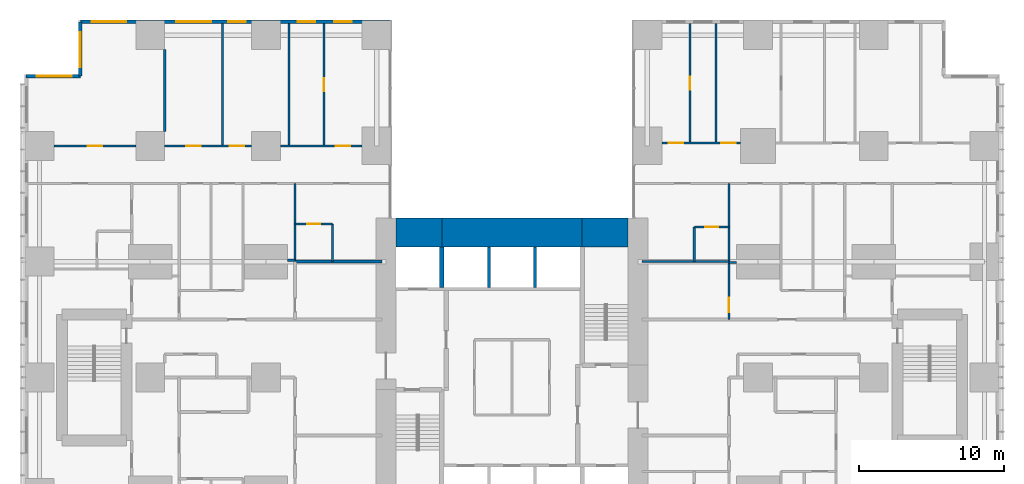
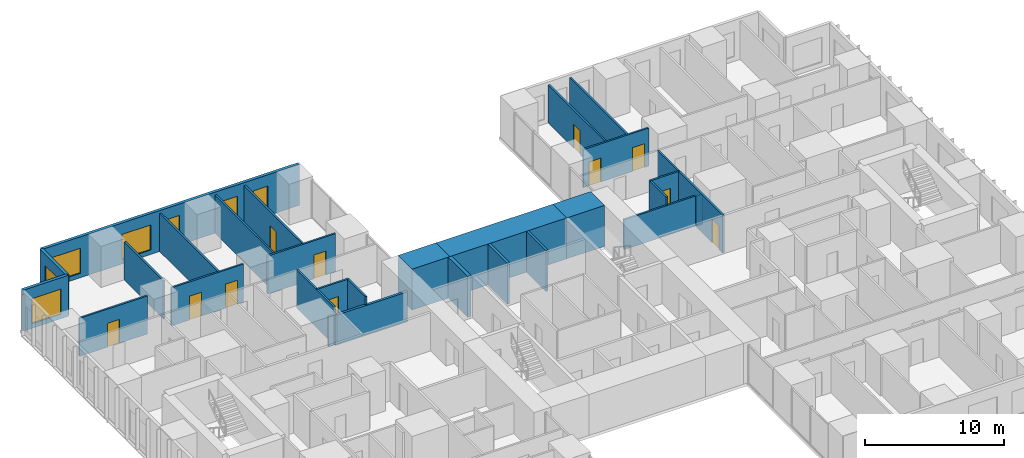
# One storey, part 17 of 20: 29 walls, 11 doors, 7 windows, 18 openings.
"""IFC4 building model written with IfcOpenShell, lengths in metres."""

from ifc_helpers import new_model, si_unit, direction, frame, frame_2d, origin, place, context, subcontext, project, spatial, rectangle, extrude, material, layer, layer_set, type_object, element, fill, save


model = new_model("IFC4")

# Units and contexts
model_context = context("Model", 3, precision=1e-05, world=origin(), true_north=direction((0.0, 1.0)))
body_context = subcontext(model_context, "Body", "Model", "MODEL_VIEW")
ifc_project = project(units=[si_unit("LENGTHUNIT", "METRE"), si_unit("AREAUNIT", "SQUARE_METRE"), si_unit("VOLUMEUNIT", "CUBIC_METRE"), si_unit("PLANEANGLEUNIT", "RADIAN"), si_unit("MASSUNIT", "GRAM", prefix="KILO")], contexts=[model_context])

# Site, building, storey
site_placement = place(None, origin())
site = spatial("IfcSite", under=ifc_project, at=site_placement, CompositionType="ELEMENT")
building_placement = place(site_placement, origin())
building = spatial("IfcBuilding", under=site, at=building_placement, Name="Cleftline Residences", CompositionType="ELEMENT")
storey_placement = place(building_placement, frame((0.0, 0.0, 153.800048828125)))
storey = spatial("IfcBuildingStorey", under=building, at=storey_placement, Name="L40", CompositionType="ELEMENT", Elevation=153.800048828125)

# Walls
ifc_material_1 = material(Name="Concrete B70", Category="concrete")
ifc_layer_1 = layer(ifc_material_1, 2.0)
ifc_layer_set_1 = layer_set([ifc_layer_1], Name="CORE WALL 2000")
wall_type_1 = type_object("IfcWallType", Name="CORE WALL 2000", PredefinedType="SHEAR", material=ifc_layer_set_1)
wall_1_placement = place(storey_placement, frame((25.0, 34.0, 0.0), z_axis=(0.0, 0.0, 1.0), x_axis=(1.0, 0.0, 0.0)))
element("IfcWall", 1, at=wall_1_placement, inside=storey, type_object=wall_type_1, Name="Core wall N1", PredefinedType="SHEAR", context=body_context, shape_type="SweptSolid", body=[
    extrude(rectangle(XDim=3.14990234375, YDim=2.0, at=frame_2d((1.574951171875, 0.0))), origin(), (0.0, 0.0, 1.0), 3.599853515625),
])
wall_2_placement = place(storey_placement, frame((28.14990234375, 34.0, 0.0), z_axis=(0.0, 0.0, 1.0), x_axis=(1.0, 0.0, 0.0)))
element("IfcWall", 2, at=wall_2_placement, inside=storey, type_object=wall_type_1, Name="Core wall N2", PredefinedType="SHEAR", context=body_context, shape_type="SweptSolid", body=[
    extrude(rectangle(XDim=9.7001953125, YDim=2.0, at=frame_2d((4.85009765625, 0.0))), origin(), (0.0, 0.0, 1.0), 3.599853515625),
])
wall_3_placement = place(storey_placement, frame((37.85009765625, 34.0, 0.0), z_axis=(0.0, 0.0, 1.0), x_axis=(1.0, 0.0, 0.0)))
element("IfcWall", 3, at=wall_3_placement, inside=storey, type_object=wall_type_1, Name="Core wall N3", PredefinedType="SHEAR", context=body_context, shape_type="SweptSolid", body=[
    extrude(rectangle(XDim=3.14990234375, YDim=2.0, at=frame_2d((1.574951171875, 0.0))), origin(), (0.0, 0.0, 1.0), 3.599853515625),
])
ifc_material_2 = material(Name="Concrete B70", Category="concrete")
ifc_layer_2 = layer(ifc_material_2, 0.300048828125)
ifc_layer_set_2 = layer_set([ifc_layer_2], Name="CORE WALL 300")
wall_type_2 = type_object("IfcWallType", Name="CORE WALL 300", PredefinedType="SHEAR", material=ifc_layer_set_2)
wall_4_placement = place(storey_placement, frame((28.14990234375, 30.199951171875, 0.0), z_axis=(0.0, 0.0, 1.0), x_axis=(0.0, 1.0, 0.0)))
element("IfcWall", 4, at=wall_4_placement, inside=storey, type_object=wall_type_2, Name="Lift shaft wall", PredefinedType="SHEAR", context=body_context, shape_type="SweptSolid", body=[
    extrude(rectangle(XDim=2.800048828125, YDim=0.300048828125, at=frame_2d((1.39990234375, 0.0))), origin(), (0.0, 0.0, 1.0), 3.599853515625),
])

# Wall, openings, windows
ifc_material_3 = material(Name="Rendered reinforced concrete blockwork", Category="masonry")
ifc_layer_3 = layer(ifc_material_3, 0.25)
ifc_layer_set_3 = layer_set([ifc_layer_3], Name="EXTERNAL WALL 250")
wall_type_3 = type_object("IfcWallType", Name="EXTERNAL WALL 250", PredefinedType="SOLIDWALL", material=ifc_layer_set_3)
wall_5_placement = place(storey_placement, frame((24.574951171875, 48.574951171875, 0.0), z_axis=(0.0, 0.0, 1.0), x_axis=(-1.0, 0.0, 0.0)))
wall_5 = element("IfcWall", 5, at=wall_5_placement, inside=storey, type_object=wall_type_3, Name="External wall", PredefinedType="SOLIDWALL", context=body_context, shape_type="SweptSolid", body=[
    extrude(rectangle(XDim=21.39990234375, YDim=0.25, at=frame_2d((10.699951171875, 0.0))), origin(), (0.0, 0.0, 1.0), 3.599853515625),
])
opening_1_placement = place(wall_5_placement, frame((2.64990234375, 0.0, 0.39990234375)))
opening_1 = element("IfcOpeningElement", 6, at=opening_1_placement, cuts=wall_5, Name="Opening W11", PredefinedType="OPENING", context=body_context, shape_type="SweptSolid", body=[
    extrude(rectangle(XDim=1.199951171875, YDim=2.199951171875, at=frame_2d((0.60009765625, 1.10009765625))), frame((0.0, 0.135009765625, 0.0), z_axis=(0.0, -1.0, 0.0), x_axis=(1.0, 0.0, 0.0)), (0.0, 0.0, 1.0), 0.27001953125),
])
opening_2_placement = place(wall_5_placement, frame((5.175048828125, 0.0, 0.39990234375)))
opening_2 = element("IfcOpeningElement", 7, at=opening_2_placement, cuts=wall_5, Name="Opening W11", PredefinedType="OPENING", context=body_context, shape_type="SweptSolid", body=[
    extrude(rectangle(XDim=1.199951171875, YDim=2.199951171875, at=frame_2d((0.60009765625, 1.10009765625))), frame((0.0, 0.135009765625, 0.0), z_axis=(0.0, -1.0, 0.0), x_axis=(1.0, 0.0, 0.0)), (0.0, 0.0, 1.0), 0.27001953125),
])
opening_3_placement = place(wall_5_placement, frame((9.97509765625, 0.0, 0.39990234375)))
opening_3 = element("IfcOpeningElement", 8, at=opening_3_placement, cuts=wall_5, Name="Opening W11", PredefinedType="OPENING", context=body_context, shape_type="SweptSolid", body=[
    extrude(rectangle(XDim=1.199951171875, YDim=2.199951171875, at=frame_2d((0.60009765625, 1.10009765625))), frame((0.0, 0.135009765625, 0.0), z_axis=(0.0, -1.0, 0.0), x_axis=(1.0, 0.0, 0.0)), (0.0, 0.0, 1.0), 0.27001953125),
])
opening_4_placement = place(wall_5_placement, frame((12.375, 0.0, 0.39990234375)))
opening_4 = element("IfcOpeningElement", 9, at=opening_4_placement, cuts=wall_5, Name="Opening W12", PredefinedType="OPENING", context=body_context, shape_type="SweptSolid", body=[
    extrude(rectangle(XDim=2.39990234375, YDim=2.199951171875, at=frame_2d((1.199951171875, 1.10009765625))), frame((0.0, 0.135009765625, 0.0), z_axis=(0.0, -1.0, 0.0), x_axis=(1.0, 0.0, 0.0)), (0.0, 0.0, 1.0), 0.27001953125),
])
opening_5_placement = place(wall_5_placement, frame((18.22509765625, 0.0, 0.39990234375)))
opening_5 = element("IfcOpeningElement", 10, at=opening_5_placement, cuts=wall_5, Name="Opening W12", PredefinedType="OPENING", context=body_context, shape_type="SweptSolid", body=[
    extrude(rectangle(XDim=2.39990234375, YDim=2.199951171875, at=frame_2d((1.199951171875, 1.10009765625))), frame((0.0, 0.135009765625, 0.0), z_axis=(0.0, -1.0, 0.0), x_axis=(1.0, 0.0, 0.0)), (0.0, 0.0, 1.0), 0.27001953125),
])
ifc_material_4 = material(Name="Aluminium frame, clear double glazing", Category="aluminium")
window_type_1 = type_object("IfcWindowType", Name="WINDOW 1200X2200", PartitioningType="DOUBLE_PANEL_VERTICAL", PredefinedType="WINDOW", material=ifc_material_4)
window_1_placement = place(opening_1_placement, origin())
window_1 = element("IfcWindow", 11, at=window_1_placement, inside=storey, type_object=window_type_1, Name="Window", OverallHeight=2.199951171875, OverallWidth=1.199951171875, PartitioningType="SINGLE_PANEL", PredefinedType="WINDOW", context=body_context, shape_type="SweptSolid", body=[
    extrude(rectangle(XDim=1.199951171875, YDim=2.199951171875, at=frame_2d((0.60009765625, 1.10009765625))), frame((0.0, 0.030029296875, 0.0), z_axis=(0.0, -1.0, 0.0), x_axis=(1.0, 0.0, 0.0)), (0.0, 0.0, 1.0), 0.06005859375),
])
fill(opening_1, window_1)
window_2_placement = place(opening_2_placement, origin())
window_2 = element("IfcWindow", 12, at=window_2_placement, inside=storey, type_object=window_type_1, Name="Window", OverallHeight=2.199951171875, OverallWidth=1.199951171875, PartitioningType="SINGLE_PANEL", PredefinedType="WINDOW", context=body_context, shape_type="SweptSolid", body=[
    extrude(rectangle(XDim=1.199951171875, YDim=2.199951171875, at=frame_2d((0.60009765625, 1.10009765625))), frame((0.0, 0.030029296875, 0.0), z_axis=(0.0, -1.0, 0.0), x_axis=(1.0, 0.0, 0.0)), (0.0, 0.0, 1.0), 0.06005859375),
])
fill(opening_2, window_2)
window_3_placement = place(opening_3_placement, origin())
window_3 = element("IfcWindow", 13, at=window_3_placement, inside=storey, type_object=window_type_1, Name="Window", OverallHeight=2.199951171875, OverallWidth=1.199951171875, PartitioningType="SINGLE_PANEL", PredefinedType="WINDOW", context=body_context, shape_type="SweptSolid", body=[
    extrude(rectangle(XDim=1.199951171875, YDim=2.199951171875, at=frame_2d((0.60009765625, 1.10009765625))), frame((0.0, 0.030029296875, 0.0), z_axis=(0.0, -1.0, 0.0), x_axis=(1.0, 0.0, 0.0)), (0.0, 0.0, 1.0), 0.06005859375),
])
fill(opening_3, window_3)
ifc_material_5 = material(Name="Aluminium frame, clear double glazing", Category="aluminium")
window_type_2 = type_object("IfcWindowType", Name="WINDOW 2400X2200", PartitioningType="DOUBLE_PANEL_VERTICAL", PredefinedType="WINDOW", material=ifc_material_5)
window_4_placement = place(opening_4_placement, origin())
window_4 = element("IfcWindow", 14, at=window_4_placement, inside=storey, type_object=window_type_2, Name="Window", OverallHeight=2.199951171875, OverallWidth=2.39990234375, PartitioningType="SINGLE_PANEL", PredefinedType="WINDOW", context=body_context, shape_type="SweptSolid", body=[
    extrude(rectangle(XDim=2.39990234375, YDim=2.199951171875, at=frame_2d((1.199951171875, 1.10009765625))), frame((0.0, 0.030029296875, 0.0), z_axis=(0.0, -1.0, 0.0), x_axis=(1.0, 0.0, 0.0)), (0.0, 0.0, 1.0), 0.06005859375),
])
fill(opening_4, window_4)
window_5_placement = place(opening_5_placement, origin())
window_5 = element("IfcWindow", 15, at=window_5_placement, inside=storey, type_object=window_type_2, Name="Window", OverallHeight=2.199951171875, OverallWidth=2.39990234375, PartitioningType="SINGLE_PANEL", PredefinedType="WINDOW", context=body_context, shape_type="SweptSolid", body=[
    extrude(rectangle(XDim=2.39990234375, YDim=2.199951171875, at=frame_2d((1.199951171875, 1.10009765625))), frame((0.0, 0.030029296875, 0.0), z_axis=(0.0, -1.0, 0.0), x_axis=(1.0, 0.0, 0.0)), (0.0, 0.0, 1.0), 0.06005859375),
])
fill(opening_5, window_5)

# Wall, opening, window
wall_6_placement = place(storey_placement, frame((3.175048828125, 48.574951171875, 0.0), z_axis=(0.0, 0.0, 1.0), x_axis=(0.0, -1.0, 0.0)))
wall_6 = element("IfcWall", 16, at=wall_6_placement, inside=storey, type_object=wall_type_3, Name="External wall", PredefinedType="SOLIDWALL", context=body_context, shape_type="SweptSolid", body=[
    extrude(rectangle(XDim=3.75, YDim=0.25, at=frame_2d((1.875, 0.0))), origin(), (0.0, 0.0, 1.0), 3.599853515625),
])
opening_6_placement = place(wall_6_placement, frame((0.737548828125, 0.0, 0.39990234375)))
opening_6 = element("IfcOpeningElement", 17, at=opening_6_placement, cuts=wall_6, Name="Opening W12", PredefinedType="OPENING", context=body_context, shape_type="SweptSolid", body=[
    extrude(rectangle(XDim=2.39990234375, YDim=2.199951171875, at=frame_2d((1.199951171875, 1.10009765625))), frame((0.0, 0.135009765625, 0.0), z_axis=(0.0, -1.0, 0.0), x_axis=(1.0, 0.0, 0.0)), (0.0, 0.0, 1.0), 0.27001953125),
])
window_6_placement = place(opening_6_placement, origin())
window_6 = element("IfcWindow", 18, at=window_6_placement, inside=storey, type_object=window_type_2, Name="Window", OverallHeight=2.199951171875, OverallWidth=2.39990234375, PartitioningType="SINGLE_PANEL", PredefinedType="WINDOW", context=body_context, shape_type="SweptSolid", body=[
    extrude(rectangle(XDim=2.39990234375, YDim=2.199951171875, at=frame_2d((1.199951171875, 1.10009765625))), frame((0.0, 0.030029296875, 0.0), z_axis=(0.0, -1.0, 0.0), x_axis=(1.0, 0.0, 0.0)), (0.0, 0.0, 1.0), 0.06005859375),
])
fill(opening_6, window_6)

wall_7_placement = place(storey_placement, frame((3.175048828125, 44.824951171875, 0.0), z_axis=(0.0, 0.0, 1.0), x_axis=(-1.0, 0.0, 0.0)))
wall_7 = element("IfcWall", 19, at=wall_7_placement, inside=storey, type_object=wall_type_3, Name="External wall", PredefinedType="SOLIDWALL", context=body_context, shape_type="SweptSolid", body=[
    extrude(rectangle(XDim=3.75, YDim=0.25, at=frame_2d((1.875, 0.0))), origin(), (0.0, 0.0, 1.0), 3.599853515625),
])
opening_7_placement = place(wall_7_placement, frame((0.612548828125, 0.0, 0.39990234375)))
opening_7 = element("IfcOpeningElement", 20, at=opening_7_placement, cuts=wall_7, Name="Opening W12", PredefinedType="OPENING", context=body_context, shape_type="SweptSolid", body=[
    extrude(rectangle(XDim=2.39990234375, YDim=2.199951171875, at=frame_2d((1.199951171875, 1.10009765625))), frame((0.0, 0.135009765625, 0.0), z_axis=(0.0, -1.0, 0.0), x_axis=(1.0, 0.0, 0.0)), (0.0, 0.0, 1.0), 0.27001953125),
])
window_7_placement = place(opening_7_placement, origin())
window_7 = element("IfcWindow", 21, at=window_7_placement, inside=storey, type_object=window_type_2, Name="Window", OverallHeight=2.199951171875, OverallWidth=2.39990234375, PartitioningType="SINGLE_PANEL", PredefinedType="WINDOW", context=body_context, shape_type="SweptSolid", body=[
    extrude(rectangle(XDim=2.39990234375, YDim=2.199951171875, at=frame_2d((1.199951171875, 1.10009765625))), frame((0.0, 0.030029296875, 0.0), z_axis=(0.0, -1.0, 0.0), x_axis=(1.0, 0.0, 0.0)), (0.0, 0.0, 1.0), 0.06005859375),
])
fill(opening_7, window_7)

# Walls
ifc_material_6 = material(Name="Concrete blockwork, fire rated", Category="masonry")
ifc_layer_4 = layer(ifc_material_6, 0.199951171875)
ifc_layer_set_4 = layer_set([ifc_layer_4], Name="FIRE WALL 200")
wall_type_4 = type_object("IfcWallType", Name="FIRE WALL 200", PredefinedType="PARTITIONING", material=ifc_layer_set_4)
wall_8_placement = place(storey_placement, frame((18.0, 32.0, 0.0), z_axis=(0.0, 0.0, 1.0), x_axis=(1.0, 0.0, 0.0)))
element("IfcWall", 22, at=wall_8_placement, inside=storey, type_object=wall_type_4, Name="Fire separating wall", PredefinedType="PARTITIONING", context=body_context, shape_type="SweptSolid", body=[
    extrude(rectangle(XDim=6.0, YDim=0.199951171875, at=frame_2d((3.0, 0.0))), origin(), (0.0, 0.0, 1.0), 2.634033203125),
])
ifc_material_7 = material(Name="Gypsum board on steel studs", Category="steel")
ifc_layer_5 = layer(ifc_material_7, 0.14990234375)
ifc_layer_set_5 = layer_set([ifc_layer_5], Name="PARTITION 150")
wall_type_5 = type_object("IfcWallType", Name="PARTITION 150", PredefinedType="PARTITIONING", material=ifc_layer_set_5)
wall_9_placement = place(storey_placement, frame((48.0, 31.949951171875, 0.0), z_axis=(0.0, 0.0, 1.0), x_axis=(1.0, 0.0, 0.0)))
element("IfcWall", 23, at=wall_9_placement, inside=storey, type_object=wall_type_5, Name="Partition", PredefinedType="PARTITIONING", context=body_context, shape_type="SweptSolid", body=[
    extrude(rectangle(XDim=0.5, YDim=0.14990234375, at=frame_2d((0.25, 0.0))), origin(), (0.0, 0.0, 1.0), 2.634033203125),
])
wall_10_placement = place(storey_placement, frame((42.0, 32.0, 0.0), z_axis=(0.0, 0.0, 1.0), x_axis=(1.0, 0.0, 0.0)))
element("IfcWall", 24, at=wall_10_placement, inside=storey, type_object=wall_type_5, Name="Partition", PredefinedType="PARTITIONING", context=body_context, shape_type="SweptSolid", body=[
    extrude(rectangle(XDim=6.0, YDim=0.14990234375, at=frame_2d((3.0, 0.0))), origin(), (0.0, 0.0, 1.0), 2.634033203125),
])
wall_11_placement = place(storey_placement, frame((17.5, 32.10009765625, 0.0), z_axis=(0.0, 0.0, 1.0), x_axis=(1.0, 0.0, 0.0)))
element("IfcWall", 25, at=wall_11_placement, inside=storey, type_object=wall_type_5, Name="Partition", PredefinedType="PARTITIONING", context=body_context, shape_type="SweptSolid", body=[
    extrude(rectangle(XDim=0.5, YDim=0.14990234375, at=frame_2d((0.25, 0.0))), origin(), (0.0, 0.0, 1.0), 2.634033203125),
])

# Wall, opening, door
wall_12_placement = place(storey_placement, frame((45.60009765625, 34.39990234375, 0.0), z_axis=(0.0, 0.0, 1.0), x_axis=(1.0, 0.0, 0.0)))
wall_12 = element("IfcWall", 26, at=wall_12_placement, inside=storey, type_object=wall_type_5, Name="Partition", PredefinedType="PARTITIONING", context=body_context, shape_type="SweptSolid", body=[
    extrude(rectangle(XDim=2.39990234375, YDim=0.14990234375, at=frame_2d((1.199951171875, 0.0))), origin(), (0.0, 0.0, 1.0), 3.349853515625),
])
opening_8_placement = place(wall_12_placement, frame((0.75, 0.0, 0.0)))
opening_8 = element("IfcOpeningElement", 27, at=opening_8_placement, cuts=wall_12, Name="Opening D1", PredefinedType="OPENING", context=body_context, shape_type="SweptSolid", body=[
    extrude(rectangle(XDim=0.89990234375, YDim=2.10009765625, at=frame_2d((0.449951171875, 1.050048828125))), frame((0.0, 0.0849609375, 0.0), z_axis=(0.0, -1.0, 0.0), x_axis=(1.0, 0.0, 0.0)), (0.0, 0.0, 1.0), 0.169921875),
])
ifc_material_8 = material(Name="Timber veneer on solid core", Category="wood")
door_type_1 = type_object("IfcDoorType", Name="DOOR 900X2100", OperationType="SINGLE_SWING_LEFT", PredefinedType="DOOR", material=ifc_material_8)
door_1_placement = place(opening_8_placement, origin())
door_1 = element("IfcDoor", 28, at=door_1_placement, inside=storey, type_object=door_type_1, Name="Door to staff shower room", OperationType="SINGLE_SWING_LEFT", OverallHeight=2.10009765625, OverallWidth=0.89990234375, PredefinedType="DOOR", context=body_context, shape_type="SweptSolid", body=[
    extrude(rectangle(XDim=0.89990234375, YDim=2.10009765625, at=frame_2d((0.449951171875, 1.050048828125))), frame((0.0, 0.02490234375, 0.0), z_axis=(0.0, -1.0, 0.0), x_axis=(1.0, 0.0, 0.0)), (0.0, 0.0, 1.0), 0.050048828125),
])
fill(opening_8, door_1)

wall_13_placement = place(storey_placement, frame((18.0, 34.60009765625, 0.0), z_axis=(0.0, 0.0, 1.0), x_axis=(1.0, 0.0, 0.0)))
wall_13 = element("IfcWall", 29, at=wall_13_placement, inside=storey, type_object=wall_type_5, Name="Partition", PredefinedType="PARTITIONING", context=body_context, shape_type="SweptSolid", body=[
    extrude(rectangle(XDim=2.60009765625, YDim=0.14990234375, at=frame_2d((1.300048828125, 0.0))), origin(), (0.0, 0.0, 1.0), 3.349853515625),
])
opening_9_placement = place(wall_13_placement, frame((0.85009765625, 0.0, 0.0)))
opening_9 = element("IfcOpeningElement", 30, at=opening_9_placement, cuts=wall_13, Name="Opening D1", PredefinedType="OPENING", context=body_context, shape_type="SweptSolid", body=[
    extrude(rectangle(XDim=0.89990234375, YDim=2.10009765625, at=frame_2d((0.449951171875, 1.050048828125))), frame((0.0, 0.0849609375, 0.0), z_axis=(0.0, -1.0, 0.0), x_axis=(1.0, 0.0, 0.0)), (0.0, 0.0, 1.0), 0.169921875),
])
door_2_placement = place(opening_9_placement, origin())
door_2 = element("IfcDoor", 31, at=door_2_placement, inside=storey, type_object=door_type_1, Name="Door to en-suite bathroom 3", OperationType="SINGLE_SWING_LEFT", OverallHeight=2.10009765625, OverallWidth=0.89990234375, PredefinedType="DOOR", context=body_context, shape_type="SweptSolid", body=[
    extrude(rectangle(XDim=0.89990234375, YDim=2.10009765625, at=frame_2d((0.449951171875, 1.050048828125))), frame((0.0, 0.02490234375, 0.0), z_axis=(0.0, -1.0, 0.0), x_axis=(1.0, 0.0, 0.0)), (0.0, 0.0, 1.0), 0.050048828125),
])
fill(opening_9, door_2)

wall_14_placement = place(storey_placement, frame((1.35009765625, 40.0, 0.0), z_axis=(0.0, 0.0, 1.0), x_axis=(1.0, 0.0, 0.0)))
wall_14 = element("IfcWall", 32, at=wall_14_placement, inside=storey, type_object=wall_type_5, Name="Partition", PredefinedType="PARTITIONING", context=body_context, shape_type="SweptSolid", body=[
    extrude(rectangle(XDim=5.64990234375, YDim=0.14990234375, at=frame_2d((2.824951171875, 0.0))), origin(), (0.0, 0.0, 1.0), 3.349853515625),
])
opening_10_placement = place(wall_14_placement, frame((2.324951171875, 0.0, 0.0)))
opening_10 = element("IfcOpeningElement", 33, at=opening_10_placement, cuts=wall_14, Name="Opening D2", PredefinedType="OPENING", context=body_context, shape_type="SweptSolid", body=[
    extrude(rectangle(XDim=1.0, YDim=2.10009765625, at=frame_2d((0.5, 1.050048828125))), frame((0.0, 0.0849609375, 0.0), z_axis=(0.0, -1.0, 0.0), x_axis=(1.0, 0.0, 0.0)), (0.0, 0.0, 1.0), 0.169921875),
])
ifc_material_9 = material(Name="Timber veneer on solid core", Category="wood")
door_type_2 = type_object("IfcDoorType", Name="DOOR 1000X2100", OperationType="SINGLE_SWING_LEFT", PredefinedType="DOOR", material=ifc_material_9)
door_3_placement = place(opening_10_placement, origin())
door_3 = element("IfcDoor", 34, at=door_3_placement, inside=storey, type_object=door_type_2, Name="Door to living room", OperationType="SINGLE_SWING_LEFT", OverallHeight=2.10009765625, OverallWidth=1.0, PredefinedType="DOOR", context=body_context, shape_type="SweptSolid", body=[
    extrude(rectangle(XDim=1.0, YDim=2.10009765625, at=frame_2d((0.5, 1.050048828125))), frame((0.0, 0.02490234375, 0.0), z_axis=(0.0, -1.0, 0.0), x_axis=(1.0, 0.0, 0.0)), (0.0, 0.0, 1.0), 0.050048828125),
])
fill(opening_10, door_3)

# Wall, openings, doors
wall_15_placement = place(storey_placement, frame((9.0, 40.0, 0.0), z_axis=(0.0, 0.0, 1.0), x_axis=(1.0, 0.0, 0.0)))
wall_15 = element("IfcWall", 35, at=wall_15_placement, inside=storey, type_object=wall_type_5, Name="Partition", PredefinedType="PARTITIONING", context=body_context, shape_type="SweptSolid", body=[
    extrude(rectangle(XDim=6.0, YDim=0.14990234375, at=frame_2d((3.0, 0.0))), origin(), (0.0, 0.0, 1.0), 3.349853515625),
])
opening_11_placement = place(wall_15_placement, frame((1.5, 0.0, 0.0)))
opening_11 = element("IfcOpeningElement", 36, at=opening_11_placement, cuts=wall_15, Name="Opening D2", PredefinedType="OPENING", context=body_context, shape_type="SweptSolid", body=[
    extrude(rectangle(XDim=1.0, YDim=2.10009765625, at=frame_2d((0.5, 1.050048828125))), frame((0.0, 0.0849609375, 0.0), z_axis=(0.0, -1.0, 0.0), x_axis=(1.0, 0.0, 0.0)), (0.0, 0.0, 1.0), 0.169921875),
])
opening_12_placement = place(wall_15_placement, frame((4.5, 0.0, 0.0)))
opening_12 = element("IfcOpeningElement", 37, at=opening_12_placement, cuts=wall_15, Name="Opening D2", PredefinedType="OPENING", context=body_context, shape_type="SweptSolid", body=[
    extrude(rectangle(XDim=1.0, YDim=2.10009765625, at=frame_2d((0.5, 1.050048828125))), frame((0.0, 0.0849609375, 0.0), z_axis=(0.0, -1.0, 0.0), x_axis=(1.0, 0.0, 0.0)), (0.0, 0.0, 1.0), 0.169921875),
])
door_4_placement = place(opening_11_placement, origin())
door_4 = element("IfcDoor", 38, at=door_4_placement, inside=storey, type_object=door_type_2, Name="Door to dining room", OperationType="SINGLE_SWING_RIGHT", OverallHeight=2.10009765625, OverallWidth=1.0, PredefinedType="DOOR", context=body_context, shape_type="SweptSolid", body=[
    extrude(rectangle(XDim=1.0, YDim=2.10009765625, at=frame_2d((0.5, 1.050048828125))), frame((0.0, 0.02490234375, 0.0), z_axis=(0.0, -1.0, 0.0), x_axis=(1.0, 0.0, 0.0)), (0.0, 0.0, 1.0), 0.050048828125),
])
fill(opening_11, door_4)
door_5_placement = place(opening_12_placement, origin())
door_5 = element("IfcDoor", 39, at=door_5_placement, inside=storey, type_object=door_type_2, Name="Door to show kitchen", OperationType="SINGLE_SWING_LEFT", OverallHeight=2.10009765625, OverallWidth=1.0, PredefinedType="DOOR", context=body_context, shape_type="SweptSolid", body=[
    extrude(rectangle(XDim=1.0, YDim=2.10009765625, at=frame_2d((0.5, 1.050048828125))), frame((0.0, 0.02490234375, 0.0), z_axis=(0.0, -1.0, 0.0), x_axis=(1.0, 0.0, 0.0)), (0.0, 0.0, 1.0), 0.050048828125),
])
fill(opening_12, door_5)

# Wall, opening, door
wall_16_placement = place(storey_placement, frame((17.0, 40.0, 0.0), z_axis=(0.0, 0.0, 1.0), x_axis=(1.0, 0.0, 0.0)))
wall_16 = element("IfcWall", 40, at=wall_16_placement, inside=storey, type_object=wall_type_5, Name="Partition", PredefinedType="PARTITIONING", context=body_context, shape_type="SweptSolid", body=[
    extrude(rectangle(XDim=5.64990234375, YDim=0.14990234375, at=frame_2d((2.824951171875, 0.0))), origin(), (0.0, 0.0, 1.0), 3.349853515625),
])
opening_13_placement = place(wall_16_placement, frame((3.824951171875, 0.0, 0.0)))
opening_13 = element("IfcOpeningElement", 41, at=opening_13_placement, cuts=wall_16, Name="Opening D2", PredefinedType="OPENING", context=body_context, shape_type="SweptSolid", body=[
    extrude(rectangle(XDim=1.0, YDim=2.10009765625, at=frame_2d((0.5, 1.050048828125))), frame((0.0, 0.0849609375, 0.0), z_axis=(0.0, -1.0, 0.0), x_axis=(1.0, 0.0, 0.0)), (0.0, 0.0, 1.0), 0.169921875),
])
door_6_placement = place(opening_13_placement, origin())
door_6 = element("IfcDoor", 42, at=door_6_placement, inside=storey, type_object=door_type_2, Name="Door to bedroom 2", OperationType="SINGLE_SWING_LEFT", OverallHeight=2.10009765625, OverallWidth=1.0, PredefinedType="DOOR", context=body_context, shape_type="SweptSolid", body=[
    extrude(rectangle(XDim=1.0, YDim=2.10009765625, at=frame_2d((0.5, 1.050048828125))), frame((0.0, 0.02490234375, 0.0), z_axis=(0.0, -1.0, 0.0), x_axis=(1.0, 0.0, 0.0)), (0.0, 0.0, 1.0), 0.050048828125),
])
fill(opening_13, door_6)

# Wall, openings, doors
wall_17_placement = place(storey_placement, frame((43.35009765625, 40.199951171875, 0.0), z_axis=(0.0, 0.0, 1.0), x_axis=(1.0, 0.0, 0.0)))
wall_17 = element("IfcWall", 43, at=wall_17_placement, inside=storey, type_object=wall_type_5, Name="Partition", PredefinedType="PARTITIONING", context=body_context, shape_type="SweptSolid", body=[
    extrude(rectangle(XDim=5.449951171875, YDim=0.14990234375, at=frame_2d((2.72509765625, 0.0))), origin(), (0.0, 0.0, 1.0), 3.349853515625),
])
opening_14_placement = place(wall_17_placement, frame((4.10009765625, 0.0, 0.0)))
opening_14 = element("IfcOpeningElement", 44, at=opening_14_placement, cuts=wall_17, Name="Opening D2", PredefinedType="OPENING", context=body_context, shape_type="SweptSolid", body=[
    extrude(rectangle(XDim=1.0, YDim=2.10009765625, at=frame_2d((0.5, 1.050048828125))), frame((0.0, 0.0849609375, 0.0), z_axis=(0.0, -1.0, 0.0), x_axis=(1.0, 0.0, 0.0)), (0.0, 0.0, 1.0), 0.169921875),
])
opening_15_placement = place(wall_17_placement, frame((0.47509765625, 0.0, 0.0)))
opening_15 = element("IfcOpeningElement", 45, at=opening_15_placement, cuts=wall_17, Name="Opening D2", PredefinedType="OPENING", context=body_context, shape_type="SweptSolid", body=[
    extrude(rectangle(XDim=1.0, YDim=2.10009765625, at=frame_2d((0.5, 1.050048828125))), frame((0.0, 0.0849609375, 0.0), z_axis=(0.0, -1.0, 0.0), x_axis=(1.0, 0.0, 0.0)), (0.0, 0.0, 1.0), 0.169921875),
])
door_7_placement = place(opening_14_placement, origin())
door_7 = element("IfcDoor", 46, at=door_7_placement, inside=storey, type_object=door_type_2, Name="Door to bedroom 3", OperationType="SINGLE_SWING_LEFT", OverallHeight=2.10009765625, OverallWidth=1.0, PredefinedType="DOOR", context=body_context, shape_type="SweptSolid", body=[
    extrude(rectangle(XDim=1.0, YDim=2.10009765625, at=frame_2d((0.5, 1.050048828125))), frame((0.0, 0.02490234375, 0.0), z_axis=(0.0, -1.0, 0.0), x_axis=(1.0, 0.0, 0.0)), (0.0, 0.0, 1.0), 0.050048828125),
])
fill(opening_14, door_7)
door_8_placement = place(opening_15_placement, origin())
door_8 = element("IfcDoor", 47, at=door_8_placement, inside=storey, type_object=door_type_2, Name="Door to bedroom 4", OperationType="SINGLE_SWING_RIGHT", OverallHeight=2.10009765625, OverallWidth=1.0, PredefinedType="DOOR", context=body_context, shape_type="SweptSolid", body=[
    extrude(rectangle(XDim=1.0, YDim=2.10009765625, at=frame_2d((0.5, 1.050048828125))), frame((0.0, 0.02490234375, 0.0), z_axis=(0.0, -1.0, 0.0), x_axis=(1.0, 0.0, 0.0)), (0.0, 0.0, 1.0), 0.050048828125),
])
fill(opening_15, door_8)

# Walls
wall_18_placement = place(storey_placement, frame((9.0, 41.0, 0.0), z_axis=(0.0, 0.0, 1.0), x_axis=(0.0, 1.0, 0.0)))
element("IfcWall", 48, at=wall_18_placement, inside=storey, type_object=wall_type_5, Name="Partition", PredefinedType="PARTITIONING", context=body_context, shape_type="SweptSolid", body=[
    extrude(rectangle(XDim=5.64990234375, YDim=0.14990234375, at=frame_2d((2.824951171875, 0.0))), origin(), (0.0, 0.0, 1.0), 3.349853515625),
])
for number, where, z_axis, x_axis, name in (
    (49, (13.0, 40.0, 0.0), (0.0, 0.0, 1.0), (0.0, 1.0, 0.0), "Partition"),
    (50, (17.60009765625, 40.0, 0.0), (0.0, 0.0, 1.0), (0.0, 1.0, 0.0), "Partition"),
):
    element("IfcWall", number, at=place(storey_placement, frame(where, z_axis=z_axis, x_axis=x_axis)), inside=storey, type_object=wall_type_5, Name=name, PredefinedType="PARTITIONING", context=body_context, shape_type="SweptSolid", body=[
        extrude(rectangle(XDim=8.449951171875, YDim=0.14990234375, at=frame_2d((4.22509765625, 0.0))), origin(), (0.0, 0.0, 1.0), 3.349853515625),
    ])
wall_19_placement = place(storey_placement, frame((18.0, 32.0, 0.0), z_axis=(0.0, 0.0, 1.0), x_axis=(0.0, 1.0, 0.0)))
element("IfcWall", 51, at=wall_19_placement, inside=storey, type_object=wall_type_5, Name="Partition", PredefinedType="PARTITIONING", context=body_context, shape_type="SweptSolid", body=[
    extrude(rectangle(XDim=5.39990234375, YDim=0.14990234375, at=frame_2d((2.699951171875, 0.0))), origin(), (0.0, 0.0, 1.0), 3.349853515625),
])

# Wall, opening, door
wall_20_placement = place(storey_placement, frame((20.0, 40.0, 0.0), z_axis=(0.0, 0.0, 1.0), x_axis=(0.0, 1.0, 0.0)))
wall_20 = element("IfcWall", 52, at=wall_20_placement, inside=storey, type_object=wall_type_5, Name="Partition", PredefinedType="PARTITIONING", context=body_context, shape_type="SweptSolid", body=[
    extrude(rectangle(XDim=8.449951171875, YDim=0.14990234375, at=frame_2d((4.22509765625, 0.0))), origin(), (0.0, 0.0, 1.0), 3.349853515625),
])
opening_16_placement = place(wall_20_placement, frame((3.77490234375, 0.0, 0.0)))
opening_16 = element("IfcOpeningElement", 53, at=opening_16_placement, cuts=wall_20, Name="Opening D1", PredefinedType="OPENING", context=body_context, shape_type="SweptSolid", body=[
    extrude(rectangle(XDim=0.89990234375, YDim=2.10009765625, at=frame_2d((0.449951171875, 1.050048828125))), frame((0.0, 0.0849609375, 0.0), z_axis=(0.0, -1.0, 0.0), x_axis=(1.0, 0.0, 0.0)), (0.0, 0.0, 1.0), 0.169921875),
])
door_9_placement = place(opening_16_placement, origin())
door_9 = element("IfcDoor", 54, at=door_9_placement, inside=storey, type_object=door_type_1, Name="Door to en-suite bathroom 2", OperationType="SINGLE_SWING_LEFT", OverallHeight=2.10009765625, OverallWidth=0.89990234375, PredefinedType="DOOR", context=body_context, shape_type="SweptSolid", body=[
    extrude(rectangle(XDim=0.89990234375, YDim=2.10009765625, at=frame_2d((0.449951171875, 1.050048828125))), frame((0.0, 0.02490234375, 0.0), z_axis=(0.0, -1.0, 0.0), x_axis=(1.0, 0.0, 0.0)), (0.0, 0.0, 1.0), 0.050048828125),
])
fill(opening_16, door_9)

# Wall
wall_21_placement = place(storey_placement, frame((20.60009765625, 32.0, 0.0), z_axis=(0.0, 0.0, 1.0), x_axis=(0.0, 1.0, 0.0)))
element("IfcWall", 55, at=wall_21_placement, inside=storey, type_object=wall_type_5, Name="Partition", PredefinedType="PARTITIONING", context=body_context, shape_type="SweptSolid", body=[
    extrude(rectangle(XDim=2.60009765625, YDim=0.14990234375, at=frame_2d((1.300048828125, 0.0))), origin(), (0.0, 0.0, 1.0), 3.349853515625),
])

# Wall, opening, door
wall_22_placement = place(storey_placement, frame((45.300048828125, 40.199951171875, 0.0), z_axis=(0.0, 0.0, 1.0), x_axis=(0.0, 1.0, 0.0)))
wall_22 = element("IfcWall", 56, at=wall_22_placement, inside=storey, type_object=wall_type_5, Name="Partition", PredefinedType="PARTITIONING", context=body_context, shape_type="SweptSolid", body=[
    extrude(rectangle(XDim=8.25, YDim=0.14990234375, at=frame_2d((4.125, 0.0))), origin(), (0.0, 0.0, 1.0), 3.349853515625),
])
opening_17_placement = place(wall_22_placement, frame((3.675048828125, 0.0, 0.0)))
opening_17 = element("IfcOpeningElement", 57, at=opening_17_placement, cuts=wall_22, Name="Opening D1", PredefinedType="OPENING", context=body_context, shape_type="SweptSolid", body=[
    extrude(rectangle(XDim=0.89990234375, YDim=2.10009765625, at=frame_2d((0.449951171875, 1.050048828125))), frame((0.0, 0.0849609375, 0.0), z_axis=(0.0, -1.0, 0.0), x_axis=(1.0, 0.0, 0.0)), (0.0, 0.0, 1.0), 0.169921875),
])
door_10_placement = place(opening_17_placement, origin())
door_10 = element("IfcDoor", 58, at=door_10_placement, inside=storey, type_object=door_type_1, Name="Door to en-suite bathroom 4", OperationType="SINGLE_SWING_LEFT", OverallHeight=2.10009765625, OverallWidth=0.89990234375, PredefinedType="DOOR", context=body_context, shape_type="SweptSolid", body=[
    extrude(rectangle(XDim=0.89990234375, YDim=2.10009765625, at=frame_2d((0.449951171875, 1.050048828125))), frame((0.0, 0.02490234375, 0.0), z_axis=(0.0, -1.0, 0.0), x_axis=(1.0, 0.0, 0.0)), (0.0, 0.0, 1.0), 0.050048828125),
])
fill(opening_17, door_10)

# Walls
wall_23_placement = place(storey_placement, frame((45.60009765625, 32.0, 0.0), z_axis=(0.0, 0.0, 1.0), x_axis=(0.0, 1.0, 0.0)))
element("IfcWall", 59, at=wall_23_placement, inside=storey, type_object=wall_type_5, Name="Partition", PredefinedType="PARTITIONING", context=body_context, shape_type="SweptSolid", body=[
    extrude(rectangle(XDim=2.39990234375, YDim=0.14990234375, at=frame_2d((1.199951171875, 0.0))), origin(), (0.0, 0.0, 1.0), 3.349853515625),
])
wall_24_placement = place(storey_placement, frame((47.10009765625, 40.199951171875, 0.0), z_axis=(0.0, 0.0, 1.0), x_axis=(0.0, 1.0, 0.0)))
element("IfcWall", 60, at=wall_24_placement, inside=storey, type_object=wall_type_5, Name="Partition", PredefinedType="PARTITIONING", context=body_context, shape_type="SweptSolid", body=[
    extrude(rectangle(XDim=8.25, YDim=0.14990234375, at=frame_2d((4.125, 0.0))), origin(), (0.0, 0.0, 1.0), 3.349853515625),
])

# Wall, opening, door
wall_25_placement = place(storey_placement, frame((48.0, 28.0, 0.0), z_axis=(0.0, 0.0, 1.0), x_axis=(0.0, 1.0, 0.0)))
wall_25 = element("IfcWall", 61, at=wall_25_placement, inside=storey, type_object=wall_type_5, Name="Partition", PredefinedType="PARTITIONING", context=body_context, shape_type="SweptSolid", body=[
    extrude(rectangle(XDim=9.39990234375, YDim=0.14990234375, at=frame_2d((4.699951171875, 0.0))), origin(), (0.0, 0.0, 1.0), 3.349853515625),
])
opening_18_placement = place(wall_25_placement, frame((0.5, 0.0, 0.0)))
opening_18 = element("IfcOpeningElement", 62, at=opening_18_placement, cuts=wall_25, Name="Opening D2", PredefinedType="OPENING", context=body_context, shape_type="SweptSolid", body=[
    extrude(rectangle(XDim=1.0, YDim=2.10009765625, at=frame_2d((0.5, 1.050048828125))), frame((0.0, 0.0849609375, 0.0), z_axis=(0.0, -1.0, 0.0), x_axis=(1.0, 0.0, 0.0)), (0.0, 0.0, 1.0), 0.169921875),
])
door_11_placement = place(opening_18_placement, origin())
door_11 = element("IfcDoor", 63, at=door_11_placement, inside=storey, type_object=door_type_2, Name="Door to morning kitchen", OperationType="SINGLE_SWING_RIGHT", OverallHeight=2.10009765625, OverallWidth=1.0, PredefinedType="DOOR", context=body_context, shape_type="SweptSolid", body=[
    extrude(rectangle(XDim=1.0, YDim=2.10009765625, at=frame_2d((0.5, 1.050048828125))), frame((0.0, 0.02490234375, 0.0), z_axis=(0.0, -1.0, 0.0), x_axis=(1.0, 0.0, 0.0)), (0.0, 0.0, 1.0), 0.050048828125),
])
fill(opening_18, door_11)

# Walls
ifc_material_10 = material(Name="Concrete blockwork, fire rated", Category="masonry")
ifc_layer_6 = layer(ifc_material_10, 0.199951171875)
ifc_layer_set_6 = layer_set([ifc_layer_6], Name="SHAFT WALL 200")
wall_type_6 = type_object("IfcWallType", Name="SHAFT WALL 200", PredefinedType="PARTITIONING", material=ifc_layer_set_6)
for number, where, z_axis, x_axis, name in (
    (64, (31.39990234375, 30.199951171875, 0.0), (0.0, 0.0, 1.0), (0.0, 1.0, 0.0), "Lift shaft wall"),
    (65, (34.60009765625, 30.199951171875, 0.0), (0.0, 0.0, 1.0), (0.0, 1.0, 0.0), "Lift shaft wall"),
):
    element("IfcWall", number, at=place(storey_placement, frame(where, z_axis=z_axis, x_axis=x_axis)), inside=storey, type_object=wall_type_6, Name=name, PredefinedType="PARTITIONING", context=body_context, shape_type="SweptSolid", body=[
        extrude(rectangle(XDim=2.800048828125, YDim=0.199951171875, at=frame_2d((1.39990234375, 0.0))), origin(), (0.0, 0.0, 1.0), 3.599853515625),
    ])

save(model, "model.ifc")
